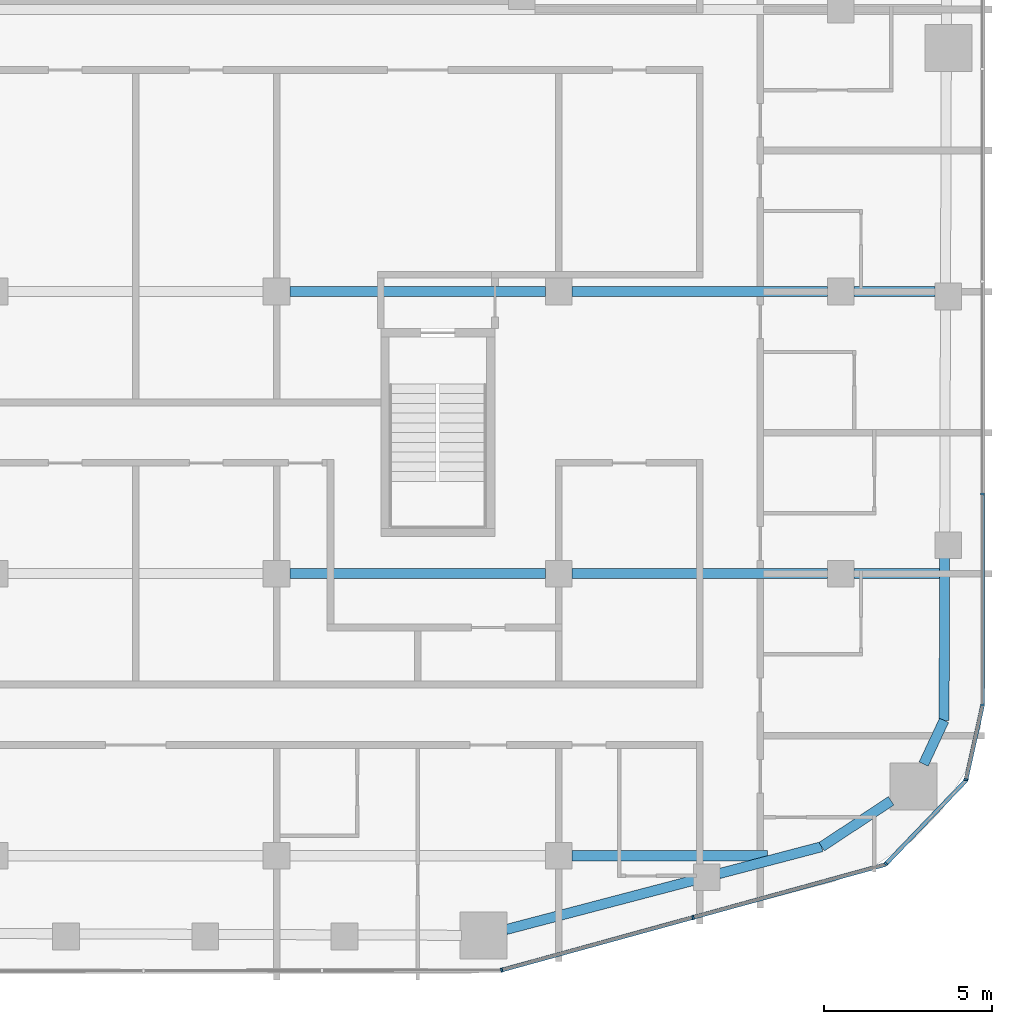
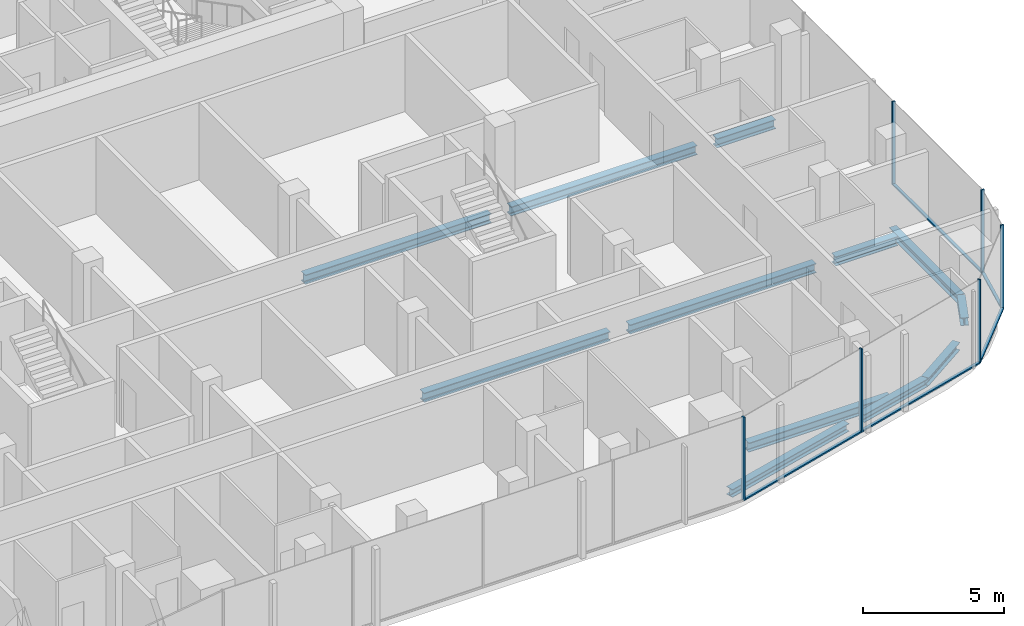
# One storey, part 6 of 22: 12 beams, 11 members, 4 elements without a shape of their own.
"""IFC4 building model written with IfcOpenShell, lengths in metres."""

from ifc_helpers import new_model, si_unit, direction, frame, origin, origin_2d, place, context, subcontext, project, spatial, rectangle, i_section, extrude, material, layer, layer_set, material_profile, profile_set, type_object, element, aggregate, save


model = new_model("IFC4")

# Units and contexts
model_context = context("Model", 3, precision=1e-05, world=origin(), true_north=direction((0.0, 1.0)))
body_context = subcontext(model_context, "Body", "Model", "MODEL_VIEW")
ifc_project = project(units=[si_unit("LENGTHUNIT", "METRE"), si_unit("AREAUNIT", "SQUARE_METRE"), si_unit("VOLUMEUNIT", "CUBIC_METRE"), si_unit("PLANEANGLEUNIT", "RADIAN"), si_unit("MASSUNIT", "GRAM", prefix="KILO")], contexts=[model_context])

# Site, building, storey
site_placement = place(None, origin())
site = spatial("IfcSite", under=ifc_project, at=site_placement, CompositionType="ELEMENT")
building_placement = place(site_placement, origin())
building = spatial("IfcBuilding", under=site, at=building_placement, Name="Marenta Gate Hotel Tower", CompositionType="ELEMENT")
storey_placement = place(building_placement, frame((0.0, 0.0, 194.89990234375)))
storey = spatial("IfcBuildingStorey", under=building, at=storey_placement, Name="L44", CompositionType="ELEMENT", Elevation=194.89990234375)

# Beams
ifc_material_1 = material(Name="Steel S355", Category="steel")
ifc_material_profile_1 = material_profile(ifc_material_1, i_section(OverallWidth=0.300048828125, OverallDepth=0.340087890625, WebThickness=0.011962890625, FlangeThickness=0.021484375, FilletRadius=0.027099609375, at=origin_2d()), Name="HEB 340")
ifc_profile_set_1 = profile_set([ifc_material_profile_1], Name="Steel S355")
beam_type_1 = type_object("IfcBeamType", Name="Edge beam HEB 340", PredefinedType="SPANDREL", material=ifc_profile_set_1)
beam_1_placement = place(storey_placement, frame((24.09130859375, -16.31201171875, -0.429931640625), z_axis=(-0.003318732666, -0.999994492992, 0.0), x_axis=(0.999994492992, -0.003318732666, 0.0)))
element("IfcBeam", 1, at=beam_1_placement, inside=storey, type_object=beam_type_1, Name="L44-EB-27", PredefinedType="SPANDREL", context=body_context, shape_type="SweptSolid", body=[
    extrude(i_section(OverallWidth=0.300048828125, OverallDepth=0.340087890625, WebThickness=0.011962890625, FlangeThickness=0.021484375, FilletRadius=0.027099609375, at=origin_2d()), origin(), (0.0, 0.0, 1.0), 4.855224609375),
])
beam_2_placement = place(storey_placement, frame((24.0751953125, -21.167236328125, -0.429931640625), z_axis=(-0.423341112024, -0.905970365338, 0.0), x_axis=(0.905970365338, -0.423341112024, 0.0)))
element("IfcBeam", 2, at=beam_2_placement, inside=storey, type_object=beam_type_1, Name="L44-EB-28", PredefinedType="SPANDREL", context=body_context, shape_type="SweptSolid", body=[
    extrude(i_section(OverallWidth=0.300048828125, OverallDepth=0.340087890625, WebThickness=0.011962890625, FlangeThickness=0.021484375, FilletRadius=0.027099609375, at=origin_2d()), origin(), (0.0, 0.0, 1.0), 1.437255859375),
])
beam_3_placement = place(storey_placement, frame((22.496337890625, -23.56640625, -0.429931640625), z_axis=(-0.834528740585, -0.550964410047, 0.0), x_axis=(0.550964410047, -0.834528740585, 0.0)))
element("IfcBeam", 3, at=beam_3_placement, inside=storey, type_object=beam_type_1, Name="L44-EB-29", PredefinedType="SPANDREL", context=body_context, shape_type="SweptSolid", body=[
    extrude(i_section(OverallWidth=0.300048828125, OverallDepth=0.340087890625, WebThickness=0.011962890625, FlangeThickness=0.021484375, FilletRadius=0.027099609375, at=origin_2d()), origin(), (0.0, 0.0, 1.0), 2.47705078125),
])
beam_4_placement = place(storey_placement, frame((20.42919921875, -24.93115234375, -0.429931640625), z_axis=(-0.967235227858, -0.253881889845, 0.0), x_axis=(0.253881889845, -0.967235227858, 0.0)))
element("IfcBeam", 4, at=beam_4_placement, inside=storey, type_object=beam_type_1, Name="L44-EB-30", PredefinedType="SPANDREL", context=body_context, shape_type="SweptSolid", body=[
    extrude(i_section(OverallWidth=0.300048828125, OverallDepth=0.340087890625, WebThickness=0.011962890625, FlangeThickness=0.021484375, FilletRadius=0.027099609375, at=origin_2d()), origin(), (0.0, 0.0, 1.0), 3.164794921875),
])
beam_5_placement = place(storey_placement, frame((16.6455078125, -25.92431640625, -0.429931640625), z_axis=(-0.96723496524, -0.253882890359, 0.0), x_axis=(0.253882890359, -0.96723496524, 0.0)))
element("IfcBeam", 5, at=beam_5_placement, inside=storey, type_object=beam_type_1, Name="L44-EB-31", PredefinedType="SPANDREL", context=body_context, shape_type="SweptSolid", body=[
    extrude(i_section(OverallWidth=0.300048828125, OverallDepth=0.340087890625, WebThickness=0.011962890625, FlangeThickness=0.021484375, FilletRadius=0.027099609375, at=origin_2d()), origin(), (0.0, 0.0, 1.0), 5.80810546875),
])
ifc_material_2 = material(Name="Steel S355", Category="steel")
ifc_material_profile_2 = material_profile(ifc_material_2, i_section(OverallWidth=0.300048828125, OverallDepth=0.39990234375, WebThickness=0.013427734375, FlangeThickness=0.02392578125, FilletRadius=0.027099609375, at=origin_2d()), Name="HEB 400")
ifc_profile_set_2 = profile_set([ifc_material_profile_2], Name="Steel S355")
beam_type_2 = type_object("IfcBeamType", Name="Girder HEB 400", PredefinedType="BEAM", material=ifc_profile_set_2)
beam_6_placement = place(storey_placement, frame((13.0, -25.199951171875, -0.4599609375), z_axis=(1.0, 0.0, 0.0), x_axis=(0.0, 1.0, 0.0)))
element("IfcBeam", 6, at=beam_6_placement, inside=storey, type_object=beam_type_2, Name="L44-GD-5", PredefinedType="BEAM", context=body_context, shape_type="SweptSolid", body=[
    extrude(i_section(OverallWidth=0.300048828125, OverallDepth=0.39990234375, WebThickness=0.013427734375, FlangeThickness=0.02392578125, FilletRadius=0.027099609375, at=origin_2d()), origin(), (0.0, 0.0, 1.0), 5.81396484375),
])
beam_7_placement = place(storey_placement, frame((4.60009765625, -16.800048828125, -0.4599609375), z_axis=(1.0, 0.0, 0.0), x_axis=(0.0, 1.0, 0.0)))
element("IfcBeam", 7, at=beam_7_placement, inside=storey, type_object=beam_type_2, Name="L44-GD-10", PredefinedType="BEAM", context=body_context, shape_type="SweptSolid", body=[
    extrude(i_section(OverallWidth=0.300048828125, OverallDepth=0.39990234375, WebThickness=0.013427734375, FlangeThickness=0.02392578125, FilletRadius=0.027099609375, at=origin_2d()), origin(), (0.0, 0.0, 1.0), 7.599853515625),
])
beam_8_placement = place(storey_placement, frame((13.0, -16.800048828125, -0.4599609375), z_axis=(1.0, 0.0, 0.0), x_axis=(0.0, 1.0, 0.0)))
element("IfcBeam", 8, at=beam_8_placement, inside=storey, type_object=beam_type_2, Name="L44-GD-11", PredefinedType="BEAM", context=body_context, shape_type="SweptSolid", body=[
    extrude(i_section(OverallWidth=0.300048828125, OverallDepth=0.39990234375, WebThickness=0.013427734375, FlangeThickness=0.02392578125, FilletRadius=0.027099609375, at=origin_2d()), origin(), (0.0, 0.0, 1.0), 7.60009765625),
])
beam_9_placement = place(storey_placement, frame((21.39990234375, -16.800048828125, -0.4599609375), z_axis=(1.0, 0.0, 0.0), x_axis=(0.0, 1.0, 0.0)))
element("IfcBeam", 9, at=beam_9_placement, inside=storey, type_object=beam_type_2, Name="L44-GD-12", PredefinedType="BEAM", context=body_context, shape_type="SweptSolid", body=[
    extrude(i_section(OverallWidth=0.300048828125, OverallDepth=0.39990234375, WebThickness=0.013427734375, FlangeThickness=0.02392578125, FilletRadius=0.027099609375, at=origin_2d()), origin(), (0.0, 0.0, 1.0), 2.539794921875),
])
beam_10_placement = place(storey_placement, frame((4.60009765625, -8.39990234375, -0.4599609375), z_axis=(1.0, 0.0, 0.0), x_axis=(0.0, 1.0, 0.0)))
element("IfcBeam", 10, at=beam_10_placement, inside=storey, type_object=beam_type_2, Name="L44-GD-17", PredefinedType="BEAM", context=body_context, shape_type="SweptSolid", body=[
    extrude(i_section(OverallWidth=0.300048828125, OverallDepth=0.39990234375, WebThickness=0.013427734375, FlangeThickness=0.02392578125, FilletRadius=0.027099609375, at=origin_2d()), origin(), (0.0, 0.0, 1.0), 7.599853515625),
])
beam_11_placement = place(storey_placement, frame((13.0, -8.39990234375, -0.4599609375), z_axis=(1.0, 0.0, 0.0), x_axis=(0.0, 1.0, 0.0)))
element("IfcBeam", 11, at=beam_11_placement, inside=storey, type_object=beam_type_2, Name="L44-GD-18", PredefinedType="BEAM", context=body_context, shape_type="SweptSolid", body=[
    extrude(i_section(OverallWidth=0.300048828125, OverallDepth=0.39990234375, WebThickness=0.013427734375, FlangeThickness=0.02392578125, FilletRadius=0.027099609375, at=origin_2d()), origin(), (0.0, 0.0, 1.0), 7.60009765625),
])
beam_12_placement = place(storey_placement, frame((21.39990234375, -8.39990234375, -0.4599609375), z_axis=(1.0, 0.0, 0.0), x_axis=(0.0, 1.0, 0.0)))
element("IfcBeam", 12, at=beam_12_placement, inside=storey, type_object=beam_type_2, Name="L44-GD-19", PredefinedType="BEAM", context=body_context, shape_type="SweptSolid", body=[
    extrude(i_section(OverallWidth=0.300048828125, OverallDepth=0.39990234375, WebThickness=0.013427734375, FlangeThickness=0.02392578125, FilletRadius=0.027099609375, at=origin_2d()), origin(), (0.0, 0.0, 1.0), 2.400146484375),
])

# Curtain wall, members
ifc_material_3 = material(Name="Tinted insulated glass in bronze anodised frame", Category="glass")
ifc_layer = layer(ifc_material_3, 0.1201171875)
ifc_layer_set = layer_set([ifc_layer], Name="Tinted insulated glass in bronze anodised frame")
curtain_wall_type = type_object("IfcCurtainWallType", Name="Tower unitised curtain wall CW1", PredefinedType="NOTDEFINED", material=ifc_layer_set)
curtain_wall_1_placement = place(storey_placement, origin())
curtain_wall_1 = element("IfcCurtainWall", 13, at=curtain_wall_1_placement, inside=storey, type_object=curtain_wall_type, Name="CW1 run G08", PredefinedType="NOTDEFINED")
ifc_material_4 = material(Name="Bronze anodised aluminium", Category="aluminium")
ifc_material_profile_3 = material_profile(ifc_material_4, rectangle(XDim=0.1201171875, YDim=0.06005859375, at=origin_2d()), Name="Mullion CW1 60x120 bronze anodised aluminium")
ifc_profile_set_3 = profile_set([ifc_material_profile_3], Name="Bronze anodised aluminium")
member_type_1 = type_object("IfcMemberType", Name="Mullion CW1 60x120 bronze anodised aluminium", PredefinedType="MULLION", material=ifc_profile_set_3)
member_1_placement = place(storey_placement, frame((10.902587890625, -28.6044921875, 0.0), z_axis=(0.0, 0.0, 1.0), x_axis=(-0.265293272675, 0.964167765212, 0.0)))
member_1 = element("IfcMember", 14, at=member_1_placement, type_object=member_type_1, Name="CW1 mullion 1", PredefinedType="MULLION", context=body_context, shape_type="SweptSolid", body=[
    extrude(rectangle(XDim=0.1201171875, YDim=0.06005859375, at=origin_2d()), origin(), (0.0, 0.0, 1.0), 3.60009765625),
])
member_2_placement = place(storey_placement, frame((16.599365234375, -27.037109375, 0.0), z_axis=(0.0, 0.0, 1.0), x_axis=(-0.265293272675, 0.964167765212, 0.0)))
member_2 = element("IfcMember", 15, at=member_2_placement, type_object=member_type_1, Name="CW1 mullion 2", PredefinedType="MULLION", context=body_context, shape_type="SweptSolid", body=[
    extrude(rectangle(XDim=0.1201171875, YDim=0.06005859375, at=origin_2d()), origin(), (0.0, 0.0, 1.0), 3.60009765625),
])

# Curtain wall, member
curtain_wall_2_placement = place(storey_placement, origin())
curtain_wall_2 = element("IfcCurtainWall", 16, at=curtain_wall_2_placement, inside=storey, type_object=curtain_wall_type, Name="CW1 run G09", PredefinedType="NOTDEFINED")
member_3_placement = place(storey_placement, frame((22.345458984375, -25.43994140625, 0.0), z_axis=(0.0, 0.0, 1.0), x_axis=(-0.72137172224, 0.692548076564, 0.0)))
member_3 = element("IfcMember", 17, at=member_3_placement, type_object=member_type_1, Name="CW1 mullion 1", PredefinedType="MULLION", context=body_context, shape_type="SweptSolid", body=[
    extrude(rectangle(XDim=0.1201171875, YDim=0.06005859375, at=origin_2d()), origin(), (0.0, 0.0, 1.0), 3.60009765625),
])

curtain_wall_3_placement = place(storey_placement, origin())
curtain_wall_3 = element("IfcCurtainWall", 18, at=curtain_wall_3_placement, inside=storey, type_object=curtain_wall_type, Name="CW1 run G10", PredefinedType="NOTDEFINED")
member_4_placement = place(storey_placement, frame((24.726806640625, -22.937255859375, 0.0), z_axis=(0.0, 0.0, 1.0), x_axis=(-0.97620669183, 0.216842096529, 0.0)))
member_4 = element("IfcMember", 19, at=member_4_placement, type_object=member_type_1, Name="CW1 mullion 1", PredefinedType="MULLION", context=body_context, shape_type="SweptSolid", body=[
    extrude(rectangle(XDim=0.1201171875, YDim=0.06005859375, at=origin_2d()), origin(), (0.0, 0.0, 1.0), 3.60009765625),
])

# Curtain wall, members
curtain_wall_4_placement = place(storey_placement, origin())
curtain_wall_4 = element("IfcCurtainWall", 20, at=curtain_wall_4_placement, inside=storey, type_object=curtain_wall_type, Name="CW1 run G11", PredefinedType="NOTDEFINED")
member_5_placement = place(storey_placement, frame((25.214111328125, -20.7138671875, 0.0), z_axis=(0.0, 0.0, 1.0), x_axis=(-1.0, 0.0, 0.0)))
member_5 = element("IfcMember", 21, at=member_5_placement, type_object=member_type_1, Name="CW1 mullion 1", PredefinedType="MULLION", context=body_context, shape_type="SweptSolid", body=[
    extrude(rectangle(XDim=0.1201171875, YDim=0.06005859375, at=origin_2d()), origin(), (0.0, 0.0, 1.0), 3.60009765625),
])
member_6_placement = place(storey_placement, frame((25.214111328125, -14.42138671875, 0.0), z_axis=(0.0, 0.0, 1.0), x_axis=(-1.0, 0.0, 0.0)))
member_6 = element("IfcMember", 22, at=member_6_placement, type_object=member_type_1, Name="CW1 mullion 2", PredefinedType="MULLION", context=body_context, shape_type="SweptSolid", body=[
    extrude(rectangle(XDim=0.1201171875, YDim=0.06005859375, at=origin_2d()), origin(), (0.0, 0.0, 1.0), 3.60009765625),
])

# Member
ifc_material_5 = material(Name="Bronze anodised aluminium", Category="aluminium")
ifc_material_profile_4 = material_profile(ifc_material_5, rectangle(XDim=0.1201171875, YDim=0.06005859375, at=origin_2d()), Name="Transom CW1 60x120 bronze anodised aluminium")
ifc_profile_set_4 = profile_set([ifc_material_profile_4], Name="Bronze anodised aluminium")
member_type_2 = type_object("IfcMemberType", Name="Transom CW1 60x120 bronze anodised aluminium", PredefinedType="USERDEFINED", material=ifc_profile_set_4)
member_7_placement = place(storey_placement, frame((10.931640625, -28.5966796875, 0.030029296875), z_axis=(0.964166959812, 0.265296199758, 0.0), x_axis=(-0.265296199758, 0.964166959812, 0.0)))
member_7 = element("IfcMember", 23, at=member_7_placement, type_object=member_type_2, Name="CW1 transom 1.1", ObjectType="TRANSOM", PredefinedType="USERDEFINED", context=body_context, shape_type="SweptSolid", body=[
    extrude(rectangle(XDim=0.1201171875, YDim=0.06005859375, at=origin_2d()), origin(), (0.0, 0.0, 1.0), 5.84814453125),
])

member_8_placement = place(storey_placement, frame((16.628173828125, -27.029052734375, 0.030029296875), z_axis=(0.964169199953, 0.265288058274, 0.0), x_axis=(-0.265288058274, 0.964169199953, 0.0)))
member_8 = element("IfcMember", 24, at=member_8_placement, type_object=member_type_2, Name="CW1 transom 2.1", ObjectType="TRANSOM", PredefinedType="USERDEFINED", context=body_context, shape_type="SweptSolid", body=[
    extrude(rectangle(XDim=0.1201171875, YDim=0.06005859375, at=origin_2d()), origin(), (0.0, 0.0, 1.0), 5.908203125),
])

aggregate(curtain_wall_1, [member_1, member_2, member_7, member_8])

member_9_placement = place(storey_placement, frame((22.366455078125, -25.41845703125, 0.030029296875), z_axis=(0.692521361505, 0.721397368903, 0.0), x_axis=(-0.721397368903, 0.692521361505, 0.0)))
member_9 = element("IfcMember", 25, at=member_9_placement, type_object=member_type_2, Name="CW1 transom 1.1", ObjectType="TRANSOM", PredefinedType="USERDEFINED", context=body_context, shape_type="SweptSolid", body=[
    extrude(rectangle(XDim=0.1201171875, YDim=0.06005859375, at=origin_2d()), origin(), (0.0, 0.0, 1.0), 3.39892578125),
])

aggregate(curtain_wall_2, [member_3, member_9])

member_10_placement = place(storey_placement, frame((24.7333984375, -22.907958984375, 0.030029296875), z_axis=(0.216848830219, 0.976205196069, 0.0), x_axis=(-0.976205196069, 0.216848830219, 0.0)))
member_10 = element("IfcMember", 26, at=member_10_placement, type_object=member_type_2, Name="CW1 transom 1.1", ObjectType="TRANSOM", PredefinedType="USERDEFINED", context=body_context, shape_type="SweptSolid", body=[
    extrude(rectangle(XDim=0.1201171875, YDim=0.06005859375, at=origin_2d()), origin(), (0.0, 0.0, 1.0), 2.216796875),
])

aggregate(curtain_wall_3, [member_4, member_10])

member_11_placement = place(storey_placement, frame((25.214111328125, -20.683837890625, 0.030029296875), z_axis=(0.0, 1.0, 0.0), x_axis=(-1.0, 0.0, 0.0)))
member_11 = element("IfcMember", 27, at=member_11_placement, type_object=member_type_2, Name="CW1 transom 1.1", ObjectType="TRANSOM", PredefinedType="USERDEFINED", context=body_context, shape_type="SweptSolid", body=[
    extrude(rectangle(XDim=0.1201171875, YDim=0.06005859375, at=origin_2d()), origin(), (0.0, 0.0, 1.0), 6.232666015625),
])

aggregate(curtain_wall_4, [member_5, member_6, member_11])

save(model, "model.ifc")
